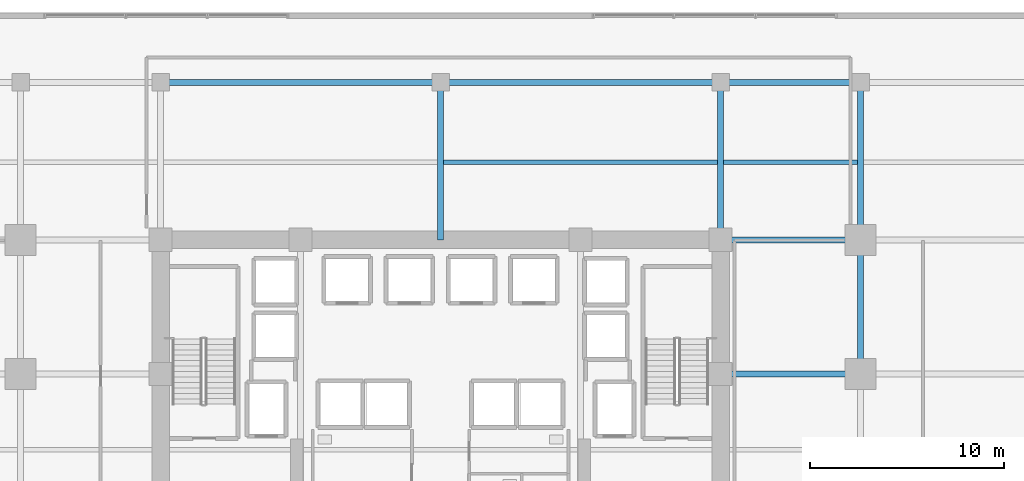
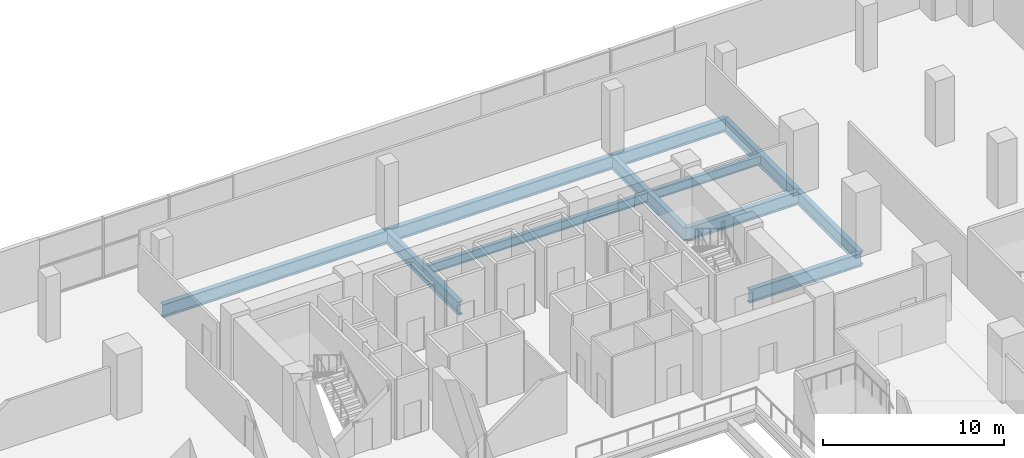
# One storey, part 9 of 21: 11 beams.
"""IFC4 building model written with IfcOpenShell, lengths in metres."""

from ifc_helpers import new_model, si_unit, direction, frame, origin, origin_2d, place, context, subcontext, project, spatial, i_section, extrude, material, material_profile, profile_set, type_object, element, save


model = new_model("IFC4")

# Units and contexts
model_context = context("Model", 3, precision=1e-05, world=origin(), true_north=direction((0.0, 1.0)))
body_context = subcontext(model_context, "Body", "Model", "MODEL_VIEW")
ifc_project = project(units=[si_unit("LENGTHUNIT", "METRE"), si_unit("AREAUNIT", "SQUARE_METRE"), si_unit("VOLUMEUNIT", "CUBIC_METRE"), si_unit("PLANEANGLEUNIT", "RADIAN"), si_unit("MASSUNIT", "GRAM", prefix="KILO")], contexts=[model_context])

# Site, building, storey
site_placement = place(None, origin())
site = spatial("IfcSite", under=ifc_project, at=site_placement, CompositionType="ELEMENT")
building_placement = place(site_placement, origin())
building = spatial("IfcBuilding", under=site, at=building_placement, Name="Zarnakvel Exchange Tower", CompositionType="ELEMENT")
storey_placement = place(building_placement, frame((0.0, 0.0, 5.0)))
storey = spatial("IfcBuildingStorey", under=building, at=storey_placement, Name="L01", CompositionType="ELEMENT", Elevation=5.0)

# Beams
ifc_material = material(Name="Steel S355", Category="steel")
ifc_material_profile_1 = material_profile(ifc_material, i_section(OverallWidth=0.230224609375, OverallDepth=0.6171875, WebThickness=0.01318359375, FlangeThickness=0.022216796875, FilletRadius=0.0126953125, at=origin_2d()))
ifc_profile_set_1 = profile_set([ifc_material_profile_1], Name="Steel S355")
beam_type_1 = type_object("IfcBeamType", Name="B-02", PredefinedType="JOIST", material=ifc_profile_set_1)
beam_1_placement = place(storey_placement, frame((0.14990234375, 17.5, -0.608642578125), z_axis=(1.0, 0.0, 0.0), x_axis=(0.0, 1.0, 0.0)))
element("IfcBeam", 1, at=beam_1_placement, inside=storey, type_object=beam_type_1, Name="L01 North Bay Secondary Floor Joist", PredefinedType="JOIST", context=body_context, shape_type="SweptSolid", body=[
    extrude(i_section(OverallWidth=0.230224609375, OverallDepth=0.6171875, WebThickness=0.01318359375, FlangeThickness=0.022216796875, FilletRadius=0.0126953125, at=origin_2d()), origin(), (0.0, 0.0, 1.0), 14.10009765625),
])
beam_2_placement = place(storey_placement, frame((14.550048828125, 17.5, -0.608642578125), z_axis=(1.0, 0.0, 0.0), x_axis=(0.0, 1.0, 0.0)))
element("IfcBeam", 2, at=beam_2_placement, inside=storey, type_object=beam_type_1, Name="L01 North Bay Secondary Floor Joist", PredefinedType="JOIST", context=body_context, shape_type="SweptSolid", body=[
    extrude(i_section(OverallWidth=0.230224609375, OverallDepth=0.6171875, WebThickness=0.01318359375, FlangeThickness=0.022216796875, FilletRadius=0.0126953125, at=origin_2d()), origin(), (0.0, 0.0, 1.0), 6.89990234375),
])
ifc_material_profile_2 = material_profile(ifc_material, i_section(OverallWidth=0.300048828125, OverallDepth=0.89990234375, WebThickness=0.0185546875, FlangeThickness=0.034912109375, FilletRadius=0.030029296875, at=origin_2d()))
ifc_profile_set_2 = profile_set([ifc_material_profile_2], Name="Steel S355")
beam_type_2 = type_object("IfcBeamType", Name="G-01", PredefinedType="BEAM", material=ifc_profile_set_2)
for number, where, z_axis, x_axis, name in (
    (3, (14.39990234375, 6.60009765625, -0.75), (1.0, 0.0, 0.0), (0.0, 1.0, 0.0), "L01 Primary E-W Girder Y=+6.6"),
    (4, (14.39990234375, 13.5, -0.75), (1.0, 0.0, 0.0), (0.0, 1.0, 0.0), "L01 Primary E-W Girder Y=+13.5"),
):
    element("IfcBeam", number, at=place(storey_placement, frame(where, z_axis=z_axis, x_axis=x_axis)), inside=storey, type_object=beam_type_2, Name=name, PredefinedType="BEAM", context=body_context, shape_type="SweptSolid", body=[
        extrude(i_section(OverallWidth=0.300048828125, OverallDepth=0.89990234375, WebThickness=0.0185546875, FlangeThickness=0.034912109375, FilletRadius=0.030029296875, at=origin_2d()), origin(), (0.0, 0.0, 1.0), 7.2001953125),
    ])
for number, where, z_axis, x_axis, name in (
    (5, (-14.39990234375, 21.60009765625, -0.75), (1.0, 0.0, 0.0), (0.0, 1.0, 0.0), "L01 Primary E-W Girder Y=+21.6"),
    (6, (0.0, 21.60009765625, -0.75), (1.0, 0.0, 0.0), (0.0, 1.0, 0.0), "L01 Primary E-W Girder Y=+21.6"),
):
    element("IfcBeam", number, at=place(storey_placement, frame(where, z_axis=z_axis, x_axis=x_axis)), inside=storey, type_object=beam_type_2, Name=name, PredefinedType="BEAM", context=body_context, shape_type="SweptSolid", body=[
        extrude(i_section(OverallWidth=0.300048828125, OverallDepth=0.89990234375, WebThickness=0.0185546875, FlangeThickness=0.034912109375, FilletRadius=0.030029296875, at=origin_2d()), origin(), (0.0, 0.0, 1.0), 14.39990234375),
    ])
beam_3_placement = place(storey_placement, frame((14.39990234375, 21.60009765625, -0.75), z_axis=(1.0, 0.0, 0.0), x_axis=(0.0, 1.0, 0.0)))
element("IfcBeam", 7, at=beam_3_placement, inside=storey, type_object=beam_type_2, Name="L01 Primary E-W Girder Y=+21.6", PredefinedType="BEAM", context=body_context, shape_type="SweptSolid", body=[
    extrude(i_section(OverallWidth=0.300048828125, OverallDepth=0.89990234375, WebThickness=0.0185546875, FlangeThickness=0.034912109375, FilletRadius=0.030029296875, at=origin_2d()), origin(), (0.0, 0.0, 1.0), 7.2001953125),
])
for number, where, z_axis, x_axis, name in (
    (8, (0.0, 13.5, -0.75), (0.0, 1.0, 0.0), (-1.0, 0.0, 0.0), "L01 Primary N-S Girder X=+0.0 North"),
    (9, (14.39990234375, 13.5, -0.75), (0.0, 1.0, 0.0), (-1.0, 0.0, 0.0), "L01 Primary N-S Girder X=+14.4"),
):
    element("IfcBeam", number, at=place(storey_placement, frame(where, z_axis=z_axis, x_axis=x_axis)), inside=storey, type_object=beam_type_2, Name=name, PredefinedType="BEAM", context=body_context, shape_type="SweptSolid", body=[
        extrude(i_section(OverallWidth=0.300048828125, OverallDepth=0.89990234375, WebThickness=0.0185546875, FlangeThickness=0.034912109375, FilletRadius=0.030029296875, at=origin_2d()), origin(), (0.0, 0.0, 1.0), 8.10009765625),
    ])
beam_4_placement = place(storey_placement, frame((21.60009765625, 6.60009765625, -0.75), z_axis=(0.0, 1.0, 0.0), x_axis=(-1.0, 0.0, 0.0)))
element("IfcBeam", 10, at=beam_4_placement, inside=storey, type_object=beam_type_2, Name="L01 Primary N-S Girder X=+21.6", PredefinedType="BEAM", context=body_context, shape_type="SweptSolid", body=[
    extrude(i_section(OverallWidth=0.300048828125, OverallDepth=0.89990234375, WebThickness=0.0185546875, FlangeThickness=0.034912109375, FilletRadius=0.030029296875, at=origin_2d()), origin(), (0.0, 0.0, 1.0), 6.89990234375),
])
beam_5_placement = place(storey_placement, frame((21.60009765625, 13.5, -0.75), z_axis=(0.0, 1.0, 0.0), x_axis=(-1.0, 0.0, 0.0)))
element("IfcBeam", 11, at=beam_5_placement, inside=storey, type_object=beam_type_2, Name="L01 Primary N-S Girder X=+21.6", PredefinedType="BEAM", context=body_context, shape_type="SweptSolid", body=[
    extrude(i_section(OverallWidth=0.300048828125, OverallDepth=0.89990234375, WebThickness=0.0185546875, FlangeThickness=0.034912109375, FilletRadius=0.030029296875, at=origin_2d()), origin(), (0.0, 0.0, 1.0), 8.10009765625),
])

save(model, "model.ifc")
